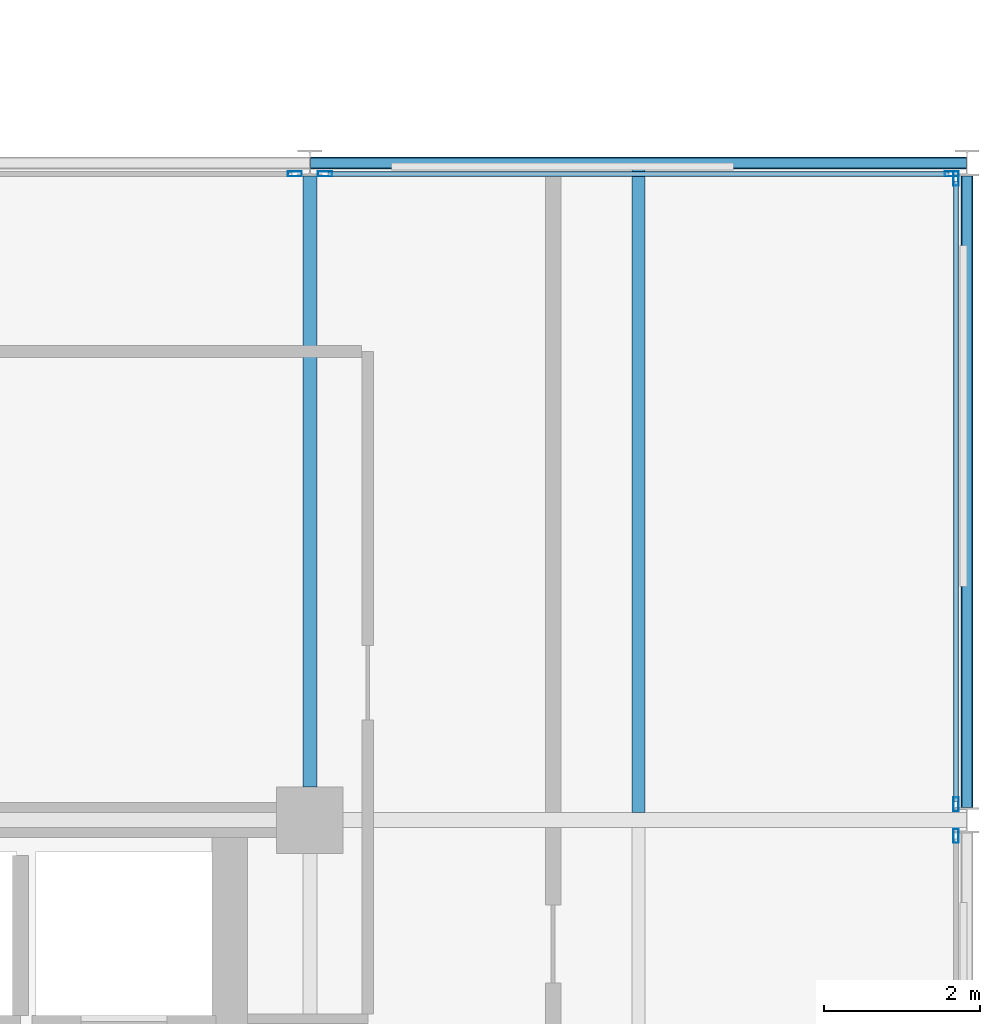
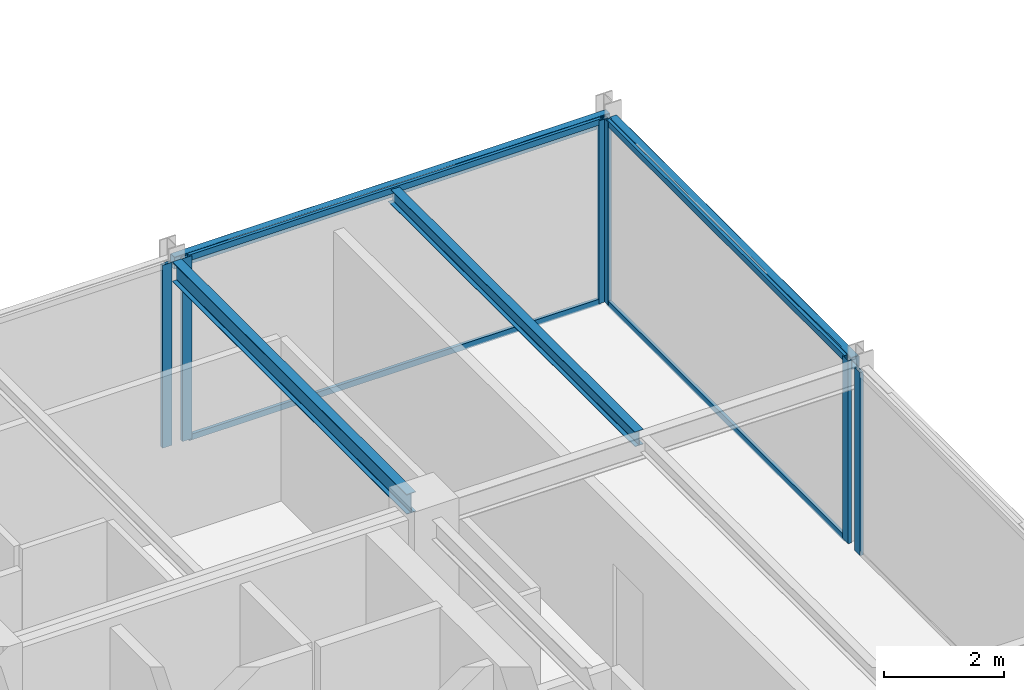
# One storey, part 16 of 26: 10 members, 4 beams, 4 elements without a shape of their own.
"""IFC4 building model written with IfcOpenShell, lengths in metres."""

from ifc_helpers import new_model, si_unit, direction, frame, origin, origin_2d, place, context, subcontext, project, spatial, hollow_rectangle, i_section, extrude, material, layer, layer_set, material_profile, profile_set, type_object, element, aggregate, save


model = new_model("IFC4")

# Units and contexts
model_context = context("Model", 3, precision=1e-05, world=origin(), true_north=direction((0.0, 1.0)))
body_context = subcontext(model_context, "Body", "Model", "MODEL_VIEW")
ifc_project = project(units=[si_unit("LENGTHUNIT", "METRE"), si_unit("AREAUNIT", "SQUARE_METRE"), si_unit("VOLUMEUNIT", "CUBIC_METRE"), si_unit("PLANEANGLEUNIT", "RADIAN"), si_unit("MASSUNIT", "GRAM", prefix="KILO")], contexts=[model_context])

# Site, building, storey
site_placement = place(None, origin())
site = spatial("IfcSite", under=ifc_project, at=site_placement, CompositionType="ELEMENT")
building_placement = place(site_placement, origin())
building = spatial("IfcBuilding", under=site, at=building_placement, Name="Nerrivon Quay Data Exchange", CompositionType="ELEMENT")
storey_placement = place(building_placement, frame((0.0, 0.0, 262.199951171875)))
storey = spatial("IfcBuildingStorey", under=building, at=storey_placement, Name="L62", CompositionType="ELEMENT", Elevation=262.199951171875)

# Beams
ifc_material_1 = material(Name="Steel Grade 350", Category="steel")
ifc_material_profile_1 = material_profile(ifc_material_1, i_section(OverallWidth=0.177978515625, OverallDepth=0.406005859375, WebThickness=0.0078125, FlangeThickness=0.0126953125, FilletRadius=0.011474609375, at=origin_2d()), Name="410UB59.7")
ifc_profile_set_1 = profile_set([ifc_material_profile_1], Name="Steel Grade 350")
beam_type_1 = type_object("IfcBeamType", Name="BM-J1-410UB60", PredefinedType="JOIST", material=ifc_profile_set_1)
beam_1_placement = place(storey_placement, frame((33.60009765625, 17.22509765625, 3.52197265625), z_axis=(0.0, 1.0, 0.0), x_axis=(-1.0, 0.0, 0.0)))
element("IfcBeam", 1, at=beam_1_placement, inside=storey, type_object=beam_type_1, Name="L62 NS Girder X=33.6 (16.8..25.2)", PredefinedType="JOIST", context=body_context, shape_type="SweptSolid", body=[
    extrude(i_section(OverallWidth=0.177978515625, OverallDepth=0.406005859375, WebThickness=0.0078125, FlangeThickness=0.0126953125, FilletRadius=0.011474609375, at=origin_2d()), origin(), (0.0, 0.0, 1.0), 7.8115234375),
])
ifc_material_profile_2 = material_profile(ifc_material_1, i_section(OverallWidth=0.1650390625, OverallDepth=0.303955078125, WebThickness=0.006103515625, FlangeThickness=0.01025390625, FilletRadius=0.011474609375, at=origin_2d()), Name="310UB40.4")
ifc_profile_set_2 = profile_set([ifc_material_profile_2], Name="Steel Grade 350")
beam_type_2 = type_object("IfcBeamType", Name="BM-J6-310UB40", PredefinedType="JOIST", material=ifc_profile_set_2)
beam_2_placement = place(storey_placement, frame((37.800048828125, 16.89501953125, 3.572998046875), z_axis=(0.0, 1.0, 0.0), x_axis=(-1.0, 0.0, 0.0)))
element("IfcBeam", 2, at=beam_2_placement, inside=storey, type_object=beam_type_2, Name="L62 Secondary Joist X=37.8 (16.8..25.2)", PredefinedType="JOIST", context=body_context, shape_type="SweptSolid", body=[
    extrude(i_section(OverallWidth=0.1650390625, OverallDepth=0.303955078125, WebThickness=0.006103515625, FlangeThickness=0.01025390625, FilletRadius=0.011474609375, at=origin_2d()), origin(), (0.0, 0.0, 1.0), 8.22998046875),
])
ifc_material_2 = material(Name="Steel Grade C350L0 (350 MPa)", Category="steel")
ifc_material_profile_3 = material_profile(ifc_material_2, hollow_rectangle(XDim=0.14990234375, YDim=0.25, WallThickness=0.009033203125, InnerFilletRadius=0.013427734375, OuterFilletRadius=0.0224609375, at=origin_2d()), Name="250x150x9.0RHS")
ifc_profile_set_3 = profile_set([ifc_material_profile_3], Name="Steel Grade C350L0 (350 MPa)")
beam_type_3 = type_object("IfcBeamType", Name="BM-SP4-250x150RHS", PredefinedType="SPANDREL", material=ifc_profile_set_3)
beam_3_placement = place(storey_placement, frame((33.60791015625, 25.199951171875, 3.60009765625), z_axis=(1.0, 0.0, 0.0), x_axis=(0.0, 1.0, 0.0)))
element("IfcBeam", 3, at=beam_3_placement, inside=storey, type_object=beam_type_3, Name="L62 EW Girder Y=25.2 (33.6..42.0)", PredefinedType="SPANDREL", context=body_context, shape_type="SweptSolid", body=[
    extrude(hollow_rectangle(XDim=0.14990234375, YDim=0.25, WallThickness=0.009033203125, InnerFilletRadius=0.013427734375, OuterFilletRadius=0.0224609375, at=origin_2d()), origin(), (0.0, 0.0, 1.0), 8.38427734375),
])
beam_4_placement = place(storey_placement, frame((42.0, 16.96337890625, 3.60009765625), z_axis=(0.0, 1.0, 0.0), x_axis=(-1.0, 0.0, 0.0)))
element("IfcBeam", 4, at=beam_4_placement, inside=storey, type_object=beam_type_3, Name="L62 NS Girder X=42.0 (16.8..25.2)", PredefinedType="SPANDREL", context=body_context, shape_type="SweptSolid", body=[
    extrude(hollow_rectangle(XDim=0.14990234375, YDim=0.25, WallThickness=0.009033203125, InnerFilletRadius=0.013427734375, OuterFilletRadius=0.0224609375, at=origin_2d()), origin(), (0.0, 0.0, 1.0), 8.0732421875),
])

# Curtain wall, member
ifc_material_3 = material(Name="Anodised aluminium 6063-T6", Category="aluminium")
ifc_layer = layer(ifc_material_3, 0.195068359375)
ifc_layer_set = layer_set([ifc_layer], Name="Anodised aluminium 6063-T6")
curtain_wall_type = type_object("IfcCurtainWallType", Name="CW-SYS-06", PredefinedType="NOTDEFINED", material=ifc_layer_set)
curtain_wall_1_placement = place(storey_placement, origin())
curtain_wall_1 = element("IfcCurtainWall", 5, at=curtain_wall_1_placement, inside=storey, type_object=curtain_wall_type, Name="L62 Unitised Curtain Wall 24", PredefinedType="NOTDEFINED")
ifc_material_profile_4 = material_profile(ifc_material_3, hollow_rectangle(XDim=0.06494140625, YDim=0.179931640625, WallThickness=0.00341796875, at=origin_2d()), Name="ALU-MULL-180x65")
ifc_profile_set_4 = profile_set([ifc_material_profile_4], Name="Anodised aluminium 6063-T6")
member_type_1 = type_object("IfcMemberType", Name="CWM-180x65", PredefinedType="MULLION", material=ifc_profile_set_4)
member_1_placement = place(storey_placement, frame((33.406982421875, 25.06005859375, 0.0), z_axis=(0.0, 0.0, 1.0), x_axis=(0.0, 1.0, 0.0)))
member_1 = element("IfcMember", 6, at=member_1_placement, type_object=member_type_1, Name="CW06 mullion 2", PredefinedType="MULLION", context=body_context, shape_type="SweptSolid", body=[
    extrude(hollow_rectangle(XDim=0.06494140625, YDim=0.179931640625, WallThickness=0.00341796875, at=origin_2d()), origin(), (0.0, 0.0, 1.0), 3.72509765625),
])
aggregate(curtain_wall_1, [member_1])

# Curtain wall, members
curtain_wall_2_placement = place(storey_placement, origin())
curtain_wall_2 = element("IfcCurtainWall", 7, at=curtain_wall_2_placement, inside=storey, type_object=curtain_wall_type, Name="L62 Unitised Curtain Wall 25", PredefinedType="NOTDEFINED")
member_2_placement = place(storey_placement, frame((33.79296875, 25.06005859375, 0.0), z_axis=(0.0, 0.0, 1.0), x_axis=(0.0, 1.0, 0.0)))
member_2 = element("IfcMember", 8, at=member_2_placement, type_object=member_type_1, Name="CW06 mullion 1", PredefinedType="MULLION", context=body_context, shape_type="SweptSolid", body=[
    extrude(hollow_rectangle(XDim=0.06494140625, YDim=0.179931640625, WallThickness=0.00341796875, at=origin_2d()), origin(), (0.0, 0.0, 1.0), 3.72509765625),
])
member_3_placement = place(storey_placement, frame((41.806884765625, 25.06005859375, 0.0), z_axis=(0.0, 0.0, 1.0), x_axis=(0.0, 1.0, 0.0)))
member_3 = element("IfcMember", 9, at=member_3_placement, type_object=member_type_1, Name="CW06 mullion 2", PredefinedType="MULLION", context=body_context, shape_type="SweptSolid", body=[
    extrude(hollow_rectangle(XDim=0.06494140625, YDim=0.179931640625, WallThickness=0.00341796875, at=origin_2d()), origin(), (0.0, 0.0, 1.0), 3.72509765625),
])

curtain_wall_3_placement = place(storey_placement, origin())
curtain_wall_3 = element("IfcCurtainWall", 10, at=curtain_wall_3_placement, inside=storey, type_object=curtain_wall_type, Name="L62 Unitised Curtain Wall 26", PredefinedType="NOTDEFINED")
member_4_placement = place(storey_placement, frame((41.860107421875, 24.9990234375, 0.0), z_axis=(0.0, 0.0, 1.0), x_axis=(1.0, 0.0, 0.0)))
member_4 = element("IfcMember", 11, at=member_4_placement, type_object=member_type_1, Name="CW06 mullion 1", PredefinedType="MULLION", context=body_context, shape_type="SweptSolid", body=[
    extrude(hollow_rectangle(XDim=0.06494140625, YDim=0.179931640625, WallThickness=0.00341796875, at=origin_2d()), origin(), (0.0, 0.0, 1.0), 3.72509765625),
])
member_5_placement = place(storey_placement, frame((41.860107421875, 17.0009765625, 0.0), z_axis=(0.0, 0.0, 1.0), x_axis=(1.0, 0.0, 0.0)))
member_5 = element("IfcMember", 12, at=member_5_placement, type_object=member_type_1, Name="CW06 mullion 2", PredefinedType="MULLION", context=body_context, shape_type="SweptSolid", body=[
    extrude(hollow_rectangle(XDim=0.06494140625, YDim=0.179931640625, WallThickness=0.00341796875, at=origin_2d()), origin(), (0.0, 0.0, 1.0), 3.72509765625),
])

# Curtain wall, member
curtain_wall_4_placement = place(storey_placement, origin())
curtain_wall_4 = element("IfcCurtainWall", 13, at=curtain_wall_4_placement, inside=storey, type_object=curtain_wall_type, Name="L62 Unitised Curtain Wall 27", PredefinedType="NOTDEFINED")
member_6_placement = place(storey_placement, frame((41.860107421875, 16.59912109375, 0.0), z_axis=(0.0, 0.0, 1.0), x_axis=(1.0, 0.0, 0.0)))
member_6 = element("IfcMember", 14, at=member_6_placement, type_object=member_type_1, Name="CW06 mullion 1", PredefinedType="MULLION", context=body_context, shape_type="SweptSolid", body=[
    extrude(hollow_rectangle(XDim=0.06494140625, YDim=0.179931640625, WallThickness=0.00341796875, at=origin_2d()), origin(), (0.0, 0.0, 1.0), 3.72509765625),
])
aggregate(curtain_wall_4, [member_6])

# Member
ifc_material_profile_5 = material_profile(ifc_material_3, hollow_rectangle(XDim=0.06005859375, YDim=0.1201171875, WallThickness=0.003173828125, at=origin_2d()), Name="ALU-TRAN-120x60")
ifc_profile_set_5 = profile_set([ifc_material_profile_5], Name="Anodised aluminium 6063-T6")
member_type_2 = type_object("IfcMemberType", Name="CWT-120x60", PredefinedType="USERDEFINED", material=ifc_profile_set_5)
member_7_placement = place(storey_placement, frame((33.83056640625, 25.06005859375, 0.032470703125), z_axis=(1.0, 0.0, 0.0), x_axis=(0.0, 1.0, 0.0)))
member_7 = element("IfcMember", 15, at=member_7_placement, type_object=member_type_2, Name="CW06 transom 1.1", ObjectType="TRANSOM", PredefinedType="USERDEFINED", context=body_context, shape_type="SweptSolid", body=[
    extrude(hollow_rectangle(XDim=0.06005859375, YDim=0.1201171875, WallThickness=0.003173828125, at=origin_2d()), origin(), (0.0, 0.0, 1.0), 7.93896484375),
])

member_8_placement = place(storey_placement, frame((33.83056640625, 25.06005859375, 3.692626953125), z_axis=(1.0, 0.0, 0.0), x_axis=(0.0, 1.0, 0.0)))
member_8 = element("IfcMember", 16, at=member_8_placement, type_object=member_type_2, Name="CW06 transom 1.2", ObjectType="TRANSOM", PredefinedType="USERDEFINED", context=body_context, shape_type="SweptSolid", body=[
    extrude(hollow_rectangle(XDim=0.06005859375, YDim=0.1201171875, WallThickness=0.003173828125, at=origin_2d()), origin(), (0.0, 0.0, 1.0), 7.93896484375),
])

aggregate(curtain_wall_2, [member_2, member_3, member_7, member_8])

member_9_placement = place(storey_placement, frame((41.860107421875, 24.96142578125, 0.032470703125), z_axis=(0.0, -1.0, 0.0), x_axis=(1.0, 0.0, 0.0)))
member_9 = element("IfcMember", 17, at=member_9_placement, type_object=member_type_2, Name="CW06 transom 1.1", ObjectType="TRANSOM", PredefinedType="USERDEFINED", context=body_context, shape_type="SweptSolid", body=[
    extrude(hollow_rectangle(XDim=0.06005859375, YDim=0.1201171875, WallThickness=0.003173828125, at=origin_2d()), origin(), (0.0, 0.0, 1.0), 7.9228515625),
])

member_10_placement = place(storey_placement, frame((41.860107421875, 24.96142578125, 3.692626953125), z_axis=(0.0, -1.0, 0.0), x_axis=(1.0, 0.0, 0.0)))
member_10 = element("IfcMember", 18, at=member_10_placement, type_object=member_type_2, Name="CW06 transom 1.2", ObjectType="TRANSOM", PredefinedType="USERDEFINED", context=body_context, shape_type="SweptSolid", body=[
    extrude(hollow_rectangle(XDim=0.06005859375, YDim=0.1201171875, WallThickness=0.003173828125, at=origin_2d()), origin(), (0.0, 0.0, 1.0), 7.9228515625),
])

aggregate(curtain_wall_3, [member_4, member_5, member_9, member_10])

save(model, "model.ifc")
